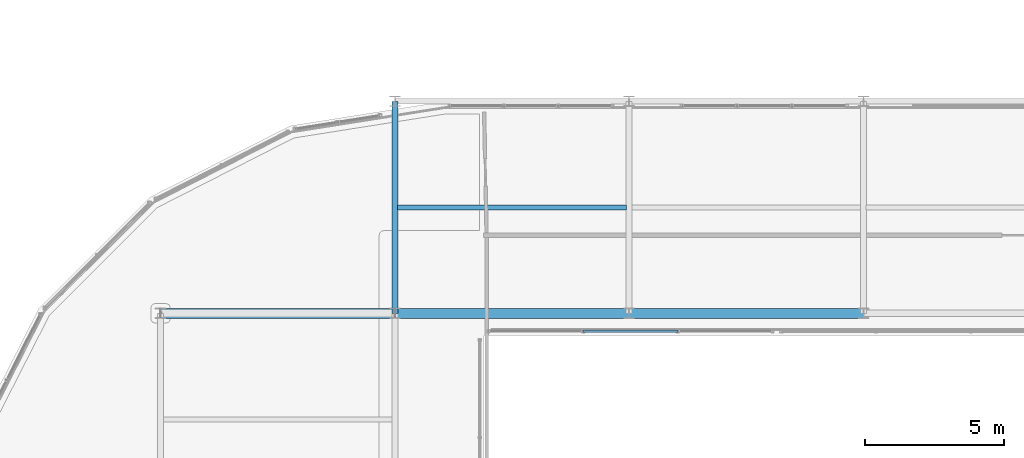
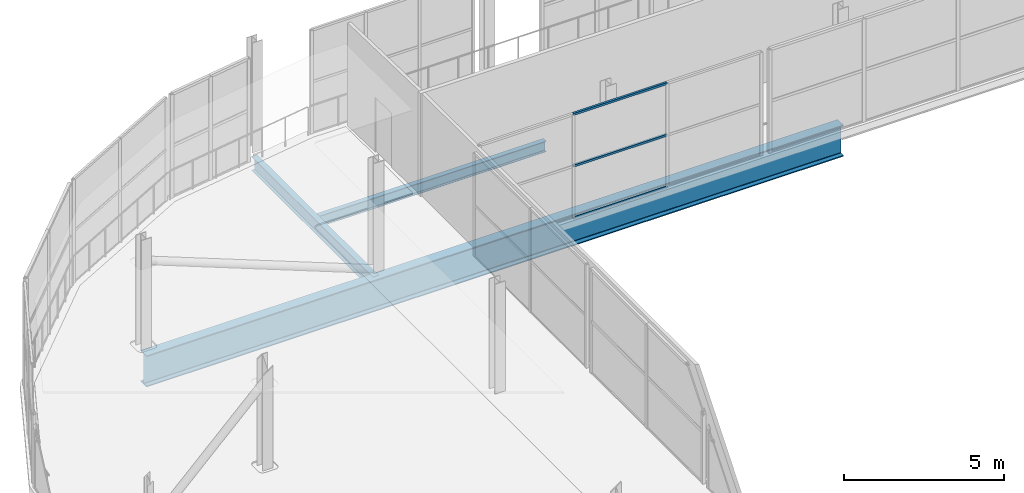
# One storey, part 54 of 217: 3 beams, 3 members, 1 element without a shape of its own.
"""IFC4 building model written with IfcOpenShell, lengths in metres."""

from ifc_helpers import new_model, si_unit, direction, frame, origin, origin_2d, place, context, subcontext, project, spatial, hollow_rectangle, i_section, extrude, material, material_profile, profile_set, type_object, element, aggregate, save


model = new_model("IFC4")

# Units and contexts
model_context = context("Model", 3, precision=1e-05, world=origin(), true_north=direction((0.0, 1.0)))
body_context = subcontext(model_context, "Body", "Model", "MODEL_VIEW")
ifc_project = project(units=[si_unit("LENGTHUNIT", "METRE"), si_unit("AREAUNIT", "SQUARE_METRE"), si_unit("VOLUMEUNIT", "CUBIC_METRE"), si_unit("PLANEANGLEUNIT", "RADIAN"), si_unit("MASSUNIT", "GRAM", prefix="KILO")], contexts=[model_context])

# Site, building, storey
site_placement = place(None, origin())
site = spatial("IfcSite", under=ifc_project, at=site_placement, CompositionType="ELEMENT")
building_placement = place(site_placement, origin())
building = spatial("IfcBuilding", under=site, at=building_placement, Name="Zuvorla Pavilion Media Centre", CompositionType="ELEMENT")
storey_placement = place(building_placement, frame((0.0, 0.0, 9.60009765625)))
storey = spatial("IfcBuildingStorey", under=building, at=storey_placement, Name="L02", CompositionType="ELEMENT", Elevation=9.60009765625)

# Beams
ifc_material_1 = material(Name="Steel S355", Category="steel")
ifc_material_profile_1 = material_profile(ifc_material_1, i_section(OverallWidth=0.360107421875, OverallDepth=1.199951171875, WebThickness=0.02001953125, FlangeThickness=0.0380859375, FilletRadius=0.02392578125, at=origin_2d()), Name="PG 1200x360x38")
ifc_profile_set_1 = profile_set([ifc_material_profile_1], Name="Steel S355")
beam_type_1 = type_object("IfcBeamType", Name="BM-PG1200", PredefinedType="BEAM", material=ifc_profile_set_1)
beam_1_placement = place(storey_placement, frame((41.60009765625, 82.0, -0.8681640625), z_axis=(-1.0, 0.0, 0.0), x_axis=(0.0, -1.0, 0.0)))
element("IfcBeam", 1, at=beam_1_placement, inside=storey, type_object=beam_type_1, Name="L02 beam B01 1663", PredefinedType="BEAM", context=body_context, shape_type="SweptSolid", body=[
    extrude(i_section(OverallWidth=0.360107421875, OverallDepth=1.199951171875, WebThickness=0.02001953125, FlangeThickness=0.0380859375, FilletRadius=0.02392578125, at=origin_2d()), origin(), (0.0, 0.0, 1.0), 25.2001953125),
])
ifc_material_profile_2 = material_profile(ifc_material_1, i_section(OverallWidth=0.1787109375, OverallDepth=0.409423828125, WebThickness=0.0087890625, FlangeThickness=0.014404296875, FilletRadius=0.01025390625, at=origin_2d()), Name="UB 406x178x67")
ifc_profile_set_2 = profile_set([ifc_material_profile_2], Name="Steel S355")
beam_type_2 = type_object("IfcBeamType", Name="BM-UB406", PredefinedType="JOIST", material=ifc_profile_set_2)
beam_2_placement = place(storey_placement, frame((24.89990234375, 85.800048828125, -0.472900390625), z_axis=(1.0, 0.0, 0.0), x_axis=(0.0, 1.0, 0.0)))
element("IfcBeam", 2, at=beam_2_placement, inside=storey, type_object=beam_type_2, Name="L02 joist J02 986", PredefinedType="JOIST", context=body_context, shape_type="SweptSolid", body=[
    extrude(i_section(OverallWidth=0.1787109375, OverallDepth=0.409423828125, WebThickness=0.0087890625, FlangeThickness=0.014404296875, FilletRadius=0.01025390625, at=origin_2d()), origin(), (0.0, 0.0, 1.0), 8.2001953125),
])
ifc_material_profile_3 = material_profile(ifc_material_1, i_section(OverallWidth=0.2099609375, OverallDepth=0.53662109375, WebThickness=0.0107421875, FlangeThickness=0.017333984375, FilletRadius=0.0126953125, at=origin_2d()), Name="UB 533x210x101")
ifc_profile_set_3 = profile_set([ifc_material_profile_3], Name="Steel S355")
beam_type_3 = type_object("IfcBeamType", Name="BM-UB533", PredefinedType="BEAM", material=ifc_profile_set_3)
beam_3_placement = place(storey_placement, frame((24.800048828125, 82.0, -0.536376953125), z_axis=(0.0, 1.0, 0.0), x_axis=(-1.0, 0.0, 0.0)))
element("IfcBeam", 3, at=beam_3_placement, inside=storey, type_object=beam_type_3, Name="L02 beam B08 900", PredefinedType="BEAM", context=body_context, shape_type="SweptSolid", body=[
    extrude(i_section(OverallWidth=0.2099609375, OverallDepth=0.53662109375, WebThickness=0.0107421875, FlangeThickness=0.017333984375, FilletRadius=0.0126953125, at=origin_2d()), origin(), (0.0, 0.0, 1.0), 7.60009765625),
])

# Curtain wall, members
ifc_material_2 = material(Name="Unitised anodised aluminium and solar glass curtain wall", Category="aluminium")
curtain_wall_type = type_object("IfcCurtainWallType", Name="CW-SYS-30", PredefinedType="USERDEFINED", material=ifc_material_2)
curtain_wall_placement = place(storey_placement, origin())
curtain_wall = element("IfcCurtainWall", 4, at=curtain_wall_placement, inside=storey, type_object=curtain_wall_type, Name="L02 curtain wall CW30 51", ObjectType="CURTAIN WALL", PredefinedType="USERDEFINED")
ifc_material_3 = material(Name="Anodised aluminium 6063-T6", Category="aluminium")
ifc_material_profile_4 = material_profile(ifc_material_3, hollow_rectangle(XDim=0.080078125, YDim=0.080078125, WallThickness=0.00390625, at=origin_2d()), Name="ALU TRAN 80x80")
ifc_profile_set_4 = profile_set([ifc_material_profile_4], Name="Anodised aluminium 6063-T6")
member_type = type_object("IfcMemberType", Name="CW-TRAN-80", PredefinedType="USERDEFINED", material=ifc_profile_set_4)
member_1_placement = place(storey_placement, frame((34.94677734375, 81.360107421875, 0.0), z_axis=(-1.0, 0.0, 0.0), x_axis=(0.0, -1.0, 0.0)))
member_1 = element("IfcMember", 5, at=member_1_placement, type_object=member_type, Name="CW30 transom 2.1", ObjectType="TRANSOM", PredefinedType="USERDEFINED", context=body_context, shape_type="SweptSolid", body=[
    extrude(hollow_rectangle(XDim=0.080078125, YDim=0.080078125, WallThickness=0.00390625, at=origin_2d()), origin(), (0.0, 0.0, 1.0), 3.3935546875),
])
member_2_placement = place(storey_placement, frame((34.94677734375, 81.360107421875, 1.974853515625), z_axis=(-1.0, 0.0, 0.0), x_axis=(0.0, -1.0, 0.0)))
member_2 = element("IfcMember", 6, at=member_2_placement, type_object=member_type, Name="CW30 transom 2.2", ObjectType="TRANSOM", PredefinedType="USERDEFINED", context=body_context, shape_type="SweptSolid", body=[
    extrude(hollow_rectangle(XDim=0.080078125, YDim=0.080078125, WallThickness=0.00390625, at=origin_2d()), origin(), (0.0, 0.0, 1.0), 3.3935546875),
])
member_3_placement = place(storey_placement, frame((34.94677734375, 81.360107421875, 3.949951171875), z_axis=(-1.0, 0.0, 0.0), x_axis=(0.0, -1.0, 0.0)))
member_3 = element("IfcMember", 7, at=member_3_placement, type_object=member_type, Name="CW30 transom 2.3", ObjectType="TRANSOM", PredefinedType="USERDEFINED", context=body_context, shape_type="SweptSolid", body=[
    extrude(hollow_rectangle(XDim=0.080078125, YDim=0.080078125, WallThickness=0.00390625, at=origin_2d()), origin(), (0.0, 0.0, 1.0), 3.3935546875),
])
aggregate(curtain_wall, [member_1, member_2, member_3])

save(model, "model.ifc")
